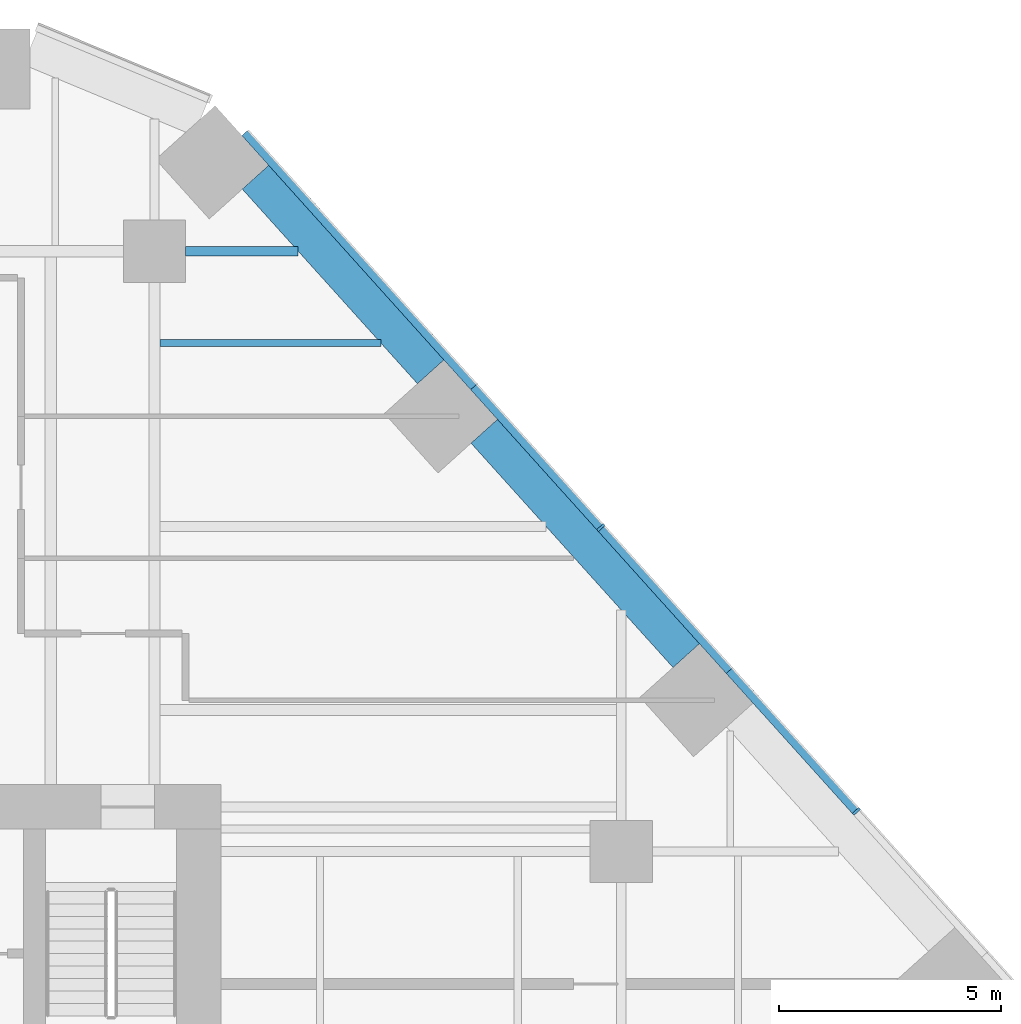
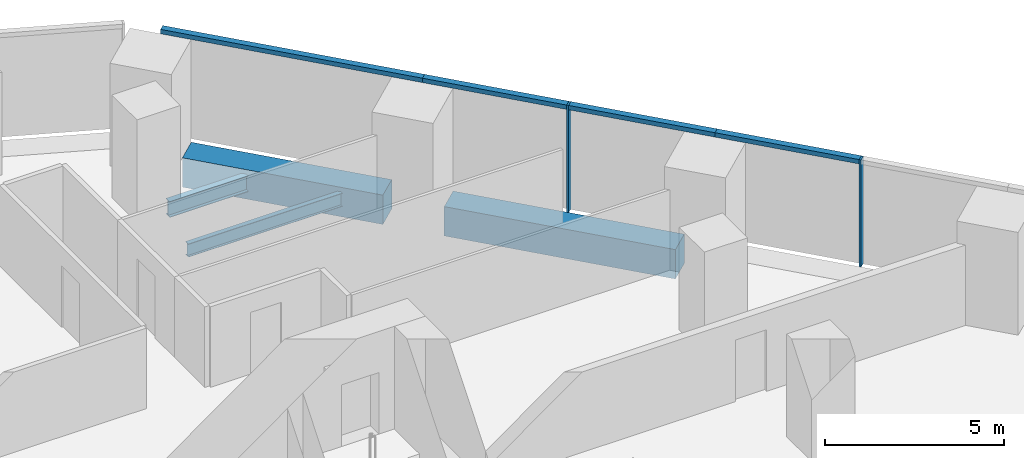
# One storey, part 10 of 20: 6 members, 4 beams, 1 element without a shape of its own.
"""IFC4 building model written with IfcOpenShell, lengths in metres."""

from ifc_helpers import new_model, si_unit, direction, frame, origin, origin_2d, place, context, subcontext, project, spatial, rectangle, i_section, extrude, material, layer, layer_set, material_profile, profile_set, type_object, element, aggregate, save


model = new_model("IFC4")

# Units and contexts
model_context = context("Model", 3, precision=1e-05, world=origin(), true_north=direction((0.0, 1.0)))
body_context = subcontext(model_context, "Body", "Model", "MODEL_VIEW")
ifc_project = project(units=[si_unit("LENGTHUNIT", "METRE"), si_unit("AREAUNIT", "SQUARE_METRE"), si_unit("VOLUMEUNIT", "CUBIC_METRE"), si_unit("PLANEANGLEUNIT", "RADIAN"), si_unit("MASSUNIT", "GRAM", prefix="KILO")], contexts=[model_context])

# Site, building, storey
site_placement = place(None, origin())
site = spatial("IfcSite", under=ifc_project, at=site_placement, CompositionType="ELEMENT")
building_placement = place(site_placement, origin())
building = spatial("IfcBuilding", under=site, at=building_placement, Name="Isthmus Gate Tower", CompositionType="ELEMENT")
storey_placement = place(building_placement, frame((0.0, 0.0, 43.300048828125)))
storey = spatial("IfcBuildingStorey", under=building, at=storey_placement, Name="L08", CompositionType="ELEMENT", Elevation=43.300048828125)

# Curtain wall, members
ifc_material_1 = material(Name="Aluminium, pale champagne anodised", Category="aluminium")
ifc_layer = layer(ifc_material_1, 0.199951171875)
ifc_layer_set = layer_set([ifc_layer], Name="CW-1 UNITISED CURTAIN WALL 200 DEEP")
curtain_wall_type = type_object("IfcCurtainWallType", Name="CW-1 UNITISED CURTAIN WALL 200 DEEP", PredefinedType="NOTDEFINED", material=ifc_layer_set)
curtain_wall_placement = place(storey_placement, origin())
curtain_wall = element("IfcCurtainWall", 1, at=curtain_wall_placement, inside=storey, type_object=curtain_wall_type, Name="CW-1 NE L08", PredefinedType="NOTDEFINED")
ifc_material_2 = material(Name="Aluminium, pale champagne anodised", Category="aluminium")
ifc_material_profile_1 = material_profile(ifc_material_2, rectangle(XDim=0.06005859375, YDim=0.199951171875, at=origin_2d()), Name="60x200")
ifc_profile_set_1 = profile_set([ifc_material_profile_1], Name="Aluminium, pale champagne anodised")
member_type_1 = type_object("IfcMemberType", Name="CW-1 MULLION 60 X 200", PredefinedType="MULLION", material=ifc_profile_set_1)
member_1_placement = place(storey_placement, frame((29.287841796875, 14.400146484375, 0.0), z_axis=(0.0, 0.0, 1.0), x_axis=(-0.669130606359, 0.743144825477, 0.0)))
member_1 = element("IfcMember", 2, at=member_1_placement, type_object=member_type_1, Name="CW-1 mullion", PredefinedType="MULLION", context=body_context, shape_type="SweptSolid", body=[
    extrude(rectangle(XDim=0.06005859375, YDim=0.199951171875, at=origin_2d()), origin(), (0.0, 0.0, 1.0), 3.64990234375),
])
member_2_placement = place(storey_placement, frame((23.54052734375, 20.783447265625, 0.0), z_axis=(0.0, 0.0, 1.0), x_axis=(-0.669130606359, 0.743144825477, 0.0)))
member_2 = element("IfcMember", 3, at=member_2_placement, type_object=member_type_1, Name="CW-1 mullion", PredefinedType="MULLION", context=body_context, shape_type="SweptSolid", body=[
    extrude(rectangle(XDim=0.06005859375, YDim=0.199951171875, at=origin_2d()), origin(), (0.0, 0.0, 1.0), 3.64990234375),
])
ifc_material_3 = material(Name="Aluminium, pale champagne anodised", Category="aluminium")
ifc_material_profile_2 = material_profile(ifc_material_3, rectangle(XDim=0.199951171875, YDim=0.14990234375, at=origin_2d()), Name="200x150")
ifc_profile_set_2 = profile_set([ifc_material_profile_2], Name="Aluminium, pale champagne anodised")
member_type_2 = type_object("IfcMemberType", Name="CW-1 TRANSOM 200 X 150", PredefinedType="USERDEFINED", material=ifc_profile_set_2)
member_3_placement = place(storey_placement, frame((29.267822265625, 14.422607421875, 3.574951171875), z_axis=(-0.669123979474, 0.743150792298, 0.0), x_axis=(-0.743150792298, -0.669123979474, 0.0)))
member_3 = element("IfcMember", 4, at=member_3_placement, type_object=member_type_2, Name="CW-1 transom", ObjectType="TRANSOM", PredefinedType="USERDEFINED", context=body_context, shape_type="SweptSolid", body=[
    extrude(rectangle(XDim=0.199951171875, YDim=0.14990234375, at=origin_2d()), origin(), (0.0, 0.0, 1.0), 4.234619140625),
])
member_4_placement = place(storey_placement, frame((26.434326171875, 17.569580078125, 3.574951171875), z_axis=(-0.669159437096, 0.743118865153, 0.0), x_axis=(-0.743118865153, -0.669159437096, 0.0)))
member_4 = element("IfcMember", 5, at=member_4_placement, type_object=member_type_2, Name="CW-1 transom", ObjectType="TRANSOM", PredefinedType="USERDEFINED", context=body_context, shape_type="SweptSolid", body=[
    extrude(rectangle(XDim=0.199951171875, YDim=0.14990234375, at=origin_2d()), origin(), (0.0, 0.0, 1.0), 4.294677734375),
])
member_5_placement = place(storey_placement, frame((23.520263671875, 20.8056640625, 3.574951171875), z_axis=(-0.669123979474, 0.743150792298, 0.0), x_axis=(-0.743150792298, -0.669123979474, 0.0)))
member_5 = element("IfcMember", 6, at=member_5_placement, type_object=member_type_2, Name="CW-1 transom", ObjectType="TRANSOM", PredefinedType="USERDEFINED", context=body_context, shape_type="SweptSolid", body=[
    extrude(rectangle(XDim=0.199951171875, YDim=0.14990234375, at=origin_2d()), origin(), (0.0, 0.0, 1.0), 4.234619140625),
])
member_6_placement = place(storey_placement, frame((20.686767578125, 23.95263671875, 3.574951171875), z_axis=(-0.669115577823, 0.743158356957, 0.0), x_axis=(-0.743158356957, -0.669115577823, 0.0)))
member_6 = element("IfcMember", 7, at=member_6_placement, type_object=member_type_2, Name="CW-1 transom", ObjectType="TRANSOM", PredefinedType="USERDEFINED", context=body_context, shape_type="SweptSolid", body=[
    extrude(rectangle(XDim=0.199951171875, YDim=0.14990234375, at=origin_2d()), origin(), (0.0, 0.0, 1.0), 7.689208984375),
])
aggregate(curtain_wall, [member_1, member_3, member_4, member_2, member_5, member_6])

# Beams
ifc_material_4 = material(Name="Concrete f'c 70 MPa", Category="concrete")
ifc_material_profile_3 = material_profile(ifc_material_4, rectangle(XDim=0.800048828125, YDim=1.0, at=origin_2d()), Name="RC 800X1000")
ifc_profile_set_3 = profile_set([ifc_material_profile_3], Name="Concrete f'c 70 MPa")
beam_type_1 = type_object("IfcBeamType", Name="RC SPANDREL 800 X 1000", PredefinedType="SPANDREL", material=ifc_profile_set_3)
beam_1_placement = place(storey_placement, frame((15.772216796875, 28.66357421875, -0.5), z_axis=(0.669141061586, -0.743135411415, 0.0), x_axis=(0.743135411415, 0.669141061586, 0.0)))
element("IfcBeam", 8, at=beam_1_placement, inside=storey, type_object=beam_type_1, Name="str-spandrel-L08-01", PredefinedType="SPANDREL", context=body_context, shape_type="SweptSolid", body=[
    extrude(rectangle(XDim=0.800048828125, YDim=1.0, at=origin_2d()), origin(), (0.0, 0.0, 1.0), 5.889404296875),
])
beam_2_placement = place(storey_placement, frame((20.91748046875, 22.94921875, -0.5), z_axis=(0.669135571547, -0.743140354772, 0.0), x_axis=(0.743140354772, 0.669135571547, 0.0)))
element("IfcBeam", 9, at=beam_2_placement, inside=storey, type_object=beam_type_1, Name="str-spandrel-L08-02", PredefinedType="SPANDREL", context=body_context, shape_type="SweptSolid", body=[
    extrude(rectangle(XDim=0.800048828125, YDim=1.0, at=origin_2d()), origin(), (0.0, 0.0, 1.0), 6.789306640625),
])
ifc_material_5 = material(Name="Structural steel ASTM A992 Gr 50", Category="steel")
ifc_material_profile_4 = material_profile(ifc_material_5, i_section(OverallWidth=0.15234375, OverallDepth=0.45068359375, WebThickness=0.0078125, FlangeThickness=0.010986328125, at=origin_2d()), Name="W18X35")
ifc_profile_set_4 = profile_set([ifc_material_profile_4], Name="Structural steel ASTM A992 Gr 50")
beam_type_2 = type_object("IfcBeamType", Name="STEEL FLOOR BEAM W18X35", PredefinedType="JOIST", material=ifc_profile_set_4)
beam_3_placement = place(storey_placement, frame((13.626953125, 24.935791015625, -0.37548828125), z_axis=(1.0, 0.0, 0.0), x_axis=(0.0, 1.0, 0.0)))
element("IfcBeam", 10, at=beam_3_placement, inside=storey, type_object=beam_type_2, Name="str-beam-L08-26-02", PredefinedType="JOIST", context=body_context, shape_type="SweptSolid", body=[
    extrude(i_section(OverallWidth=0.15234375, OverallDepth=0.45068359375, WebThickness=0.0078125, FlangeThickness=0.010986328125, at=origin_2d()), origin(), (0.0, 0.0, 1.0), 4.963623046875),
])
ifc_material_6 = material(Name="Structural steel ASTM A992 Gr 50", Category="steel")
ifc_material_profile_5 = material_profile(ifc_material_6, i_section(OverallWidth=0.20947265625, OverallDepth=0.533447265625, WebThickness=0.009521484375, FlangeThickness=0.015869140625, at=origin_2d()), Name="W21X62")
ifc_profile_set_5 = profile_set([ifc_material_profile_5], Name="Structural steel ASTM A992 Gr 50")
beam_type_3 = type_object("IfcBeamType", Name="STEEL GIRDER W21X62", PredefinedType="BEAM", material=ifc_profile_set_5)
beam_4_placement = place(storey_placement, frame((14.199951171875, 27.0, -0.416748046875), z_axis=(1.0, 0.0, 0.0), x_axis=(0.0, 1.0, 0.0)))
element("IfcBeam", 11, at=beam_4_placement, inside=storey, type_object=beam_type_3, Name="str-girder-L08-19", PredefinedType="BEAM", context=body_context, shape_type="SweptSolid", body=[
    extrude(i_section(OverallWidth=0.20947265625, OverallDepth=0.533447265625, WebThickness=0.009521484375, FlangeThickness=0.015869140625, at=origin_2d()), origin(), (0.0, 0.0, 1.0), 2.531982421875),
])

save(model, "model.ifc")
